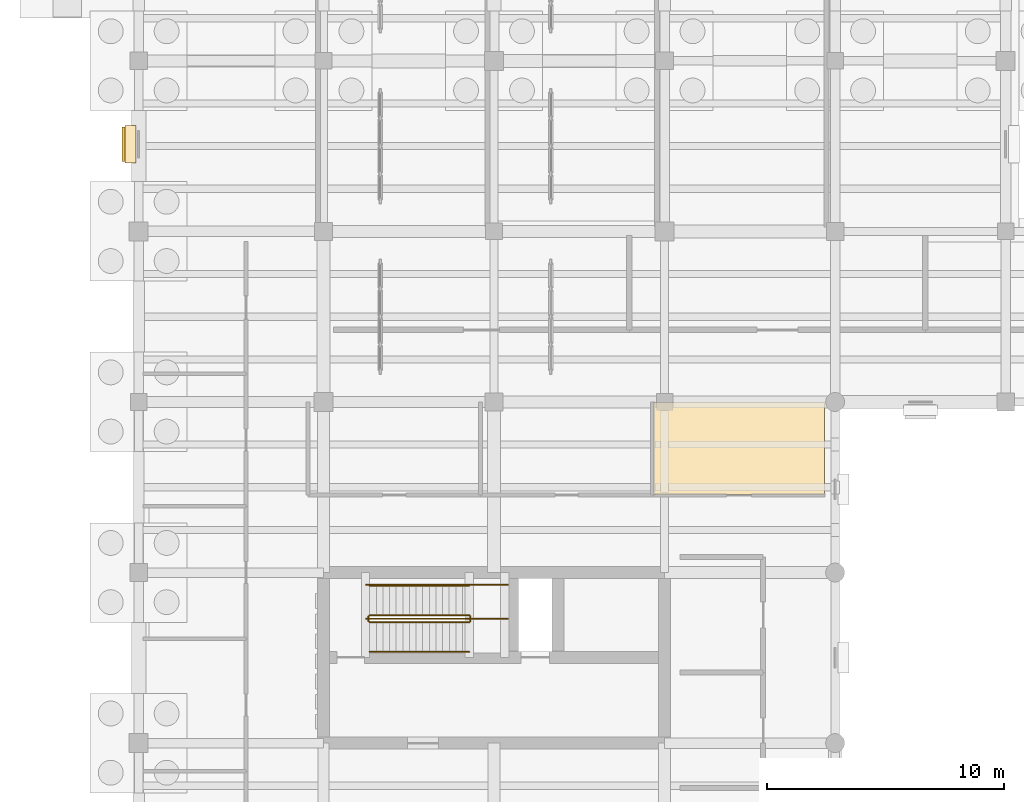
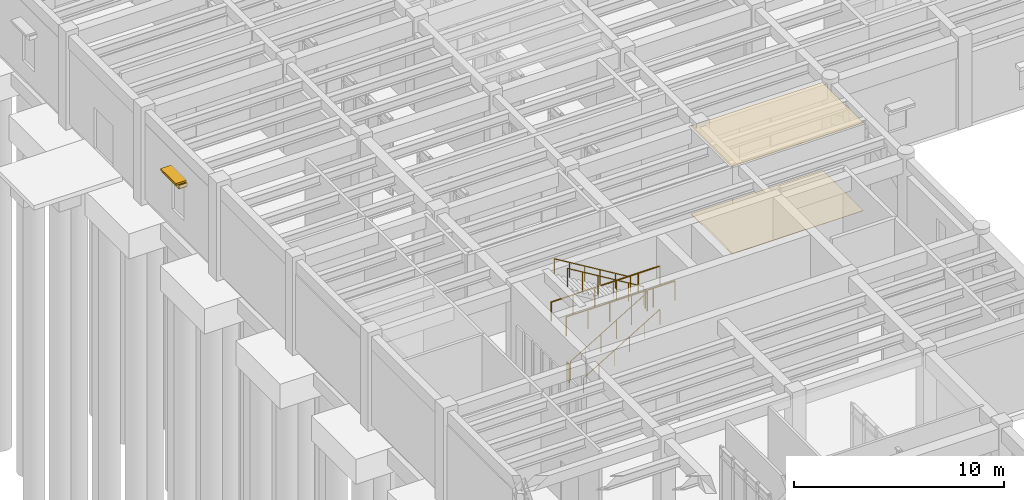
# One storey, part 93 of 100: 8 railings, 3 coverings, 1 shading device.
"""IFC4 building model written with IfcOpenShell, lengths in metres."""

import ifcopenshell
import ifcopenshell.guid

model = None  # the IFC model being written
_history = None  # IfcOwnerHistory: only IFC2X3 demands one
_inside = {}  # id of a spatial element -> (the spatial element, [elements in it])
_under = {}  # id of a project, library or spatial element -> (it, [spatial elements below it])
_declared = {}  # id of a project -> (the project, [libraries it declares])
_typed = {}  # id of a type object -> (the type object, [elements of that type])
_made_of = {}  # id of a material, layer set ... -> (it, [elements and type objects made of it])


def new_model(schema):
    """Start an empty IFC model of exactly this schema.

    Asked for "IFC4X3", IfcOpenShell would pick the latest addendum, in which some entities
    have other attributes; the version numbers below select the first issue.
    IFC2X3 requires an IfcOwnerHistory on every rooted entity: one is made here for all.
    """
    global model, _history
    if schema == "IFC4X3":
        model = ifcopenshell.file(schema_version=(4, 3, 0, 0))
    else:
        model = ifcopenshell.file(schema=schema)
    _inside.clear()
    _under.clear()
    _declared.clear()
    _typed.clear()
    _made_of.clear()
    _history = None
    if model.schema == "IFC2X3":
        org = make("IfcOrganization", Name="unknown")
        user = make(
            "IfcPersonAndOrganization",
            ThePerson=make("IfcPerson", FamilyName="unknown"),
            TheOrganization=org,
        )
        app = make(
            "IfcApplication",
            ApplicationDeveloper=org,
            Version="unknown",
            ApplicationFullName="unknown",
            ApplicationIdentifier="unknown",
        )
        _history = make(
            "IfcOwnerHistory",
            OwningUser=user,
            OwningApplication=app,
            ChangeAction="ADDED",
            CreationDate=0,
        )
    return model


def make(cls, **values):
    """One entity of the class cls with the attributes given. An attribute that is None is left unset."""
    return model.create_entity(
        cls, **{name: value for name, value in values.items() if value is not None}
    )


def rooted(cls, **values):
    """An entity with a GlobalId (a new one), such as an element, a storey or a relation."""
    return make(cls, GlobalId=ifcopenshell.guid.new(), OwnerHistory=_history, **values)


def si_unit(unit_type, name, prefix=None):
    """IfcSIUnit, for example si_unit("LENGTHUNIT", "METRE", prefix="MILLI")."""
    return make("IfcSIUnit", UnitType=unit_type, Prefix=prefix, Name=name)


def assignment(units):
    """IfcUnitAssignment: the units of a project."""
    return None if units is None else make("IfcUnitAssignment", Units=units)


def point(xyz):
    """IfcCartesianPoint."""
    return None if xyz is None else make("IfcCartesianPoint", Coordinates=xyz)


def direction(xyz):
    """IfcDirection."""
    return None if xyz is None else make("IfcDirection", DirectionRatios=xyz)


def frame(location, z_axis=None, x_axis=None):
    """IfcAxis2Placement3D, a coordinate frame: its origin and axes. An axis left out is left unset."""
    return make(
        "IfcAxis2Placement3D",
        Location=point(location),
        Axis=direction(z_axis),
        RefDirection=direction(x_axis),
    )


def frame_2d(location, x_axis=None):
    """IfcAxis2Placement2D, a coordinate frame in the plane: its origin and x axis."""
    return make(
        "IfcAxis2Placement2D", Location=point(location), RefDirection=direction(x_axis)
    )


def origin():
    """The frame at (0, 0, 0) with its axes left unset."""
    return frame((0.0, 0.0, 0.0))


def origin_2d():
    """The frame at (0, 0) in the plane with its x axis left unset."""
    return frame_2d((0.0, 0.0))


def place(relative_to, where):
    """IfcLocalPlacement: puts the frame where relative to a parent placement (None: the world)."""
    return make(
        "IfcLocalPlacement", PlacementRelTo=relative_to, RelativePlacement=where
    )


def context(
    kind, dimensions, precision=None, world=None, true_north=None, identifier=None
):
    """IfcGeometricRepresentationContext, for example the 3D "Model" context."""
    return make(
        "IfcGeometricRepresentationContext",
        ContextIdentifier=identifier,
        ContextType=kind,
        CoordinateSpaceDimension=dimensions,
        Precision=precision,
        WorldCoordinateSystem=world,
        TrueNorth=true_north,
    )


def subcontext(parent, identifier, kind, view, scale=None):
    """IfcGeometricRepresentationSubContext, for example "Body" below "Model"."""
    return make(
        "IfcGeometricRepresentationSubContext",
        ContextIdentifier=identifier,
        ContextType=kind,
        ParentContext=parent,
        TargetScale=scale,
        TargetView=view,
    )


def project(units=None, contexts=None):
    """IfcProject with its units and contexts."""
    return rooted(
        "IfcProject",
        Name="project",
        RepresentationContexts=contexts,
        UnitsInContext=assignment(units),
    )


def spatial(cls, under=None, at=None, **own):
    """A site, building, storey or space (cls), placed at a placement, below another one or the project."""
    s = rooted(cls, ObjectPlacement=at, **own)
    if under is not None:
        _under.setdefault(under.id(), (under, []))[1].append(s)
    return s


def polyline(points):
    """IfcPolyline through the points."""
    return make("IfcPolyline", Points=[point(p) for p in points])


def profile(cls, at=None, kind="AREA", **sizes):
    """A parametric profile (cls). Its sizes go by their IFC names, for example OverallWidth=200.0."""
    return make(cls, ProfileType=kind, Position=at, **sizes)


def rectangle(**sizes):
    """IfcRectangleProfileDef."""
    return profile("IfcRectangleProfileDef", **sizes)


def circle(**sizes):
    """IfcCircleProfileDef."""
    return profile("IfcCircleProfileDef", **sizes)


def outline(outer, holes=None, kind="AREA"):
    """IfcArbitraryClosedProfileDef: a profile drawn as a closed curve; with holes, ...WithVoids."""
    if holes is None:
        return make("IfcArbitraryClosedProfileDef", ProfileType=kind, OuterCurve=outer)
    return make(
        "IfcArbitraryProfileDefWithVoids",
        ProfileType=kind,
        OuterCurve=outer,
        InnerCurves=holes,
    )


def extrude(swept, where, along, depth):
    """IfcExtrudedAreaSolid: the profile swept, set in the frame where, extruded along a direction by depth."""
    return make(
        "IfcExtrudedAreaSolid",
        SweptArea=swept,
        Position=where,
        ExtrudedDirection=direction(along),
        Depth=depth,
    )


def shape(context_of_items, identifier, shape_type, items):
    """IfcShapeRepresentation: the items that make up one representation, for example the "Body"."""
    return make(
        "IfcShapeRepresentation",
        ContextOfItems=context_of_items,
        RepresentationIdentifier=identifier,
        RepresentationType=shape_type,
        Items=items,
    )


def material(Name=None, Category=None):
    """IfcMaterial."""
    return make("IfcMaterial", Name=Name, Category=Category)


def layer(
    of_material, thickness, ventilated=None, Name=None, Category=None, Priority=None
):
    """IfcMaterialLayer: one layer of a wall or slab, of a material (None: an air gap)."""
    return make(
        "IfcMaterialLayer",
        Material=of_material,
        LayerThickness=thickness,
        IsVentilated=ventilated,
        Name=Name,
        Category=Category,
        Priority=Priority,
    )


def layer_set(layers, Name=None):
    """IfcMaterialLayerSet."""
    return make("IfcMaterialLayerSet", MaterialLayers=layers, LayerSetName=Name)


def made_of(thing, what):
    """Note that an element or type object is made of a material, layer set ...; save() writes the relation."""
    if what is not None:
        _made_of.setdefault(what.id(), (what, []))[1].append(thing)
    return thing


def type_object(cls, material=None, **own):
    """A type object (cls), such as IfcWallType, which elements share."""
    return made_of(rooted(cls, **own), material)


def element(
    cls,
    number,
    at=None,
    inside=None,
    cuts=None,
    type_object=None,
    material=None,
    context=None,
    identifier="Body",
    shape_type=None,
    held_by="IfcProductDefinitionShape",
    body=None,
    shapes=None,
    **own,
):
    """One element of the class cls, such as IfcWall. Its Tag is "e" and its number.

    at: its placement. inside: the storey or other place that contains it. cuts: it is an
    opening in that element (IfcRelVoidsElement). A single representation is given by context,
    identifier, shape_type and body (its items); several are given by shapes. held_by: the class
    of the entity that holds the representations. save() writes the other relations.
    """
    e = rooted(cls, Tag="e%d" % number, ObjectPlacement=at, **own)
    if body is not None:
        shapes = [shape(context, identifier, shape_type, body)]
    if shapes is not None:
        e.Representation = make(held_by, Representations=shapes)
    if inside is not None:
        _inside.setdefault(inside.id(), (inside, []))[1].append(e)
    if cuts is not None:
        rooted(
            "IfcRelVoidsElement", RelatingBuildingElement=cuts, RelatedOpeningElement=e
        )
    if type_object is not None:
        _typed.setdefault(type_object.id(), (type_object, []))[1].append(e)
    return made_of(e, material)


def aggregate(whole, parts):
    """IfcRelAggregates: a whole, such as a stair, and the parts it consists of."""
    return rooted("IfcRelAggregates", RelatingObject=whole, RelatedObjects=parts)


def save(model, path):
    """Write the relations noted so far, then the file.

    IfcRelAggregates (storeys below a building ...), IfcRelContainedInSpatialStructure (elements
    in a storey), IfcRelDefinesByType, IfcRelAssociatesMaterial and IfcRelDeclares: one each for
    every whole, place, type object, material and project.
    """
    for whole, parts in _under.values():
        aggregate(whole, parts)
    for where, things in _inside.values():
        rooted(
            "IfcRelContainedInSpatialStructure",
            RelatedElements=things,
            RelatingStructure=where,
        )
    for kind, things in _typed.values():
        rooted("IfcRelDefinesByType", RelatedObjects=things, RelatingType=kind)
    for what, things in _made_of.values():
        rooted("IfcRelAssociatesMaterial", RelatedObjects=things, RelatingMaterial=what)
    for by, libraries in _declared.values():
        rooted("IfcRelDeclares", RelatingContext=by, RelatedDefinitions=libraries)
    model.write(path)


model = new_model("IFC4")

# Units and contexts
model_context = context("Model", 3, precision=1e-05, world=origin(), true_north=direction((0.0, 1.0)))
body_context = subcontext(model_context, "Body", "Model", "MODEL_VIEW")
ifc_project = project(units=[si_unit("LENGTHUNIT", "METRE"), si_unit("AREAUNIT", "SQUARE_METRE"), si_unit("VOLUMEUNIT", "CUBIC_METRE"), si_unit("PLANEANGLEUNIT", "RADIAN"), si_unit("MASSUNIT", "GRAM", prefix="KILO")], contexts=[model_context])

# Site, building, storey
site_placement = place(None, origin())
site = spatial("IfcSite", under=ifc_project, at=site_placement, CompositionType="ELEMENT")
building_placement = place(site_placement, origin())
building = spatial("IfcBuilding", under=site, at=building_placement, Name="Mithqara Police Headquarters", CompositionType="ELEMENT")
storey_placement = place(building_placement, origin())
storey = spatial("IfcBuildingStorey", under=building, at=storey_placement, Name="L00", CompositionType="ELEMENT", Elevation=0.0)

# Covering
ifc_material_1 = material(Name="Acoustic mineral-fibre ceiling tile", Category="gypsum")
ifc_layer_1 = layer(ifc_material_1, 0.02490234375, Name="Acoustic mineral-fibre ceiling tile")
ifc_layer_set_1 = layer_set([ifc_layer_1], Name="Acoustic mineral-fibre ceiling tile")
covering_type_1 = type_object("IfcCoveringType", Name="ACOUSTIC CEILING TILE", PredefinedType="CEILING", material=ifc_layer_set_1)
covering_1_placement = place(storey_placement, frame((0.0, 0.0, 5.094970703125)))
element("IfcCovering", 1, at=covering_1_placement, inside=storey, type_object=covering_type_1, Name="Report Writing Room Acoustic Ceiling", PredefinedType="CEILING", context=body_context, shape_type="SweptSolid", body=[
    extrude(outline(polyline([(21.722900390625, 74.68994140625), (28.9599609375, 74.68994140625), (28.9599609375, 78.580078125), (21.722900390625, 78.580078125), (21.722900390625, 74.68994140625)])), origin(), (0.0, 0.0, 1.0), 0.025146484375),
])

# Railings
ifc_material_2 = material(Name="Steel S355JR", Category="steel")
railing_type_1 = type_object("IfcRailingType", Name="HANDRAIL 920", PredefinedType="HANDRAIL", material=ifc_material_2)
railing_1_placement = place(storey_placement, frame((9.75, 68.050048828125, 0.168701171875)))
element("IfcRailing", 2, at=railing_1_placement, inside=storey, type_object=railing_type_1, Name="L00 ST-03 stair handrail 1", PredefinedType="HANDRAIL", context=body_context, shape_type="SweptSolid", body=[
    extrude(circle(Radius=0.02392578125, at=origin_2d()), frame((0.0, 0.0, 0.8759765625), z_axis=(0.856476492594, 0.0, 0.516186030065), x_axis=(0.0, 1.0, 0.0)), (0.0, 0.0, 1.0), 4.90380859375),
    extrude(circle(Radius=0.02099609375, at=origin_2d()), origin(), (0.0, 0.0, 1.0), 0.851806640625),
    extrude(circle(Radius=0.02099609375, at=origin_2d()), frame((0.840087890625, 0.0, 0.50634765625)), (0.0, 0.0, 1.0), 0.851806640625),
    extrude(circle(Radius=0.02099609375, at=origin_2d()), frame((1.679931640625, 0.0, 1.012451171875)), (0.0, 0.0, 1.0), 0.851806640625),
    extrude(circle(Radius=0.02099609375, at=origin_2d()), frame((2.52001953125, 0.0, 1.518798828125)), (0.0, 0.0, 1.0), 0.851806640625),
    extrude(circle(Radius=0.02099609375, at=origin_2d()), frame((3.35986328125, 0.0, 2.02490234375)), (0.0, 0.0, 1.0), 0.851806640625),
    extrude(circle(Radius=0.02099609375, at=origin_2d()), frame((4.199951171875, 0.0, 2.53125)), (0.0, 0.0, 1.0), 0.851806640625),
])
railing_2_placement = place(storey_placement, frame((13.949951171875, 70.85009765625, 2.86865234375)))
element("IfcRailing", 3, at=railing_2_placement, inside=storey, type_object=railing_type_1, Name="L00 ST-03 stair handrail 2", PredefinedType="HANDRAIL", context=body_context, shape_type="SweptSolid", body=[
    extrude(circle(Radius=0.02392578125, at=origin_2d()), frame((0.0, 0.0, 0.8759765625), z_axis=(-0.856476492594, 0.0, 0.516186030065), x_axis=(0.0, -1.0, 0.0)), (0.0, 0.0, 1.0), 4.90380859375),
    extrude(circle(Radius=0.02099609375, at=origin_2d()), origin(), (0.0, 0.0, 1.0), 0.851806640625),
    extrude(circle(Radius=0.02099609375, at=origin_2d()), frame((-0.840087890625, 0.0, 0.50634765625)), (0.0, 0.0, 1.0), 0.851806640625),
    extrude(circle(Radius=0.02099609375, at=origin_2d()), frame((-1.679931640625, 0.0, 1.012451171875)), (0.0, 0.0, 1.0), 0.851806640625),
    extrude(circle(Radius=0.02099609375, at=origin_2d()), frame((-2.52001953125, 0.0, 1.518798828125)), (0.0, 0.0, 1.0), 0.851806640625),
    extrude(circle(Radius=0.02099609375, at=origin_2d()), frame((-3.35986328125, 0.0, 2.02490234375)), (0.0, 0.0, 1.0), 0.851806640625),
    extrude(circle(Radius=0.02099609375, at=origin_2d()), frame((-4.199951171875, 0.0, 2.53125)), (0.0, 0.0, 1.0), 0.851806640625),
])

# Shading device
ifc_material_3 = material(Name="Bronze anodised aluminium 6063-T6", Category="aluminium")
shading_device_type = type_object("IfcShadingDeviceType", Name="SOLAR LOUVRE BRONZE", PredefinedType="JALOUSIE", material=ifc_material_3)
shading_device_placement = place(storey_placement, frame((-0.409912109375, 89.47998046875, 3.33984375), z_axis=(0.0, 0.0, 1.0), x_axis=(0.0, 1.0, 0.0)))
element("IfcShadingDevice", 4, at=shading_device_placement, inside=storey, type_object=shading_device_type, Name="L00 Window Solar Louvre Hood 14.1", PredefinedType="JALOUSIE", context=body_context, shape_type="SweptSolid", body=[
    extrude(rectangle(XDim=1.449951171875, YDim=0.60009765625, at=origin_2d()), origin(), (0.0, 0.0, 1.0), 0.10009765625),
])

# Railings
railing_type_2 = type_object("IfcRailingType", Name="STAIR GUARD 1120", PredefinedType="GUARDRAIL", material=ifc_material_2)
railing_3_placement = place(storey_placement, frame((9.75, 69.300048828125, 0.168701171875)))
element("IfcRailing", 5, at=railing_3_placement, inside=storey, type_object=railing_type_2, Name="L00 ST-03 stair guard 1", PredefinedType="GUARDRAIL", context=body_context, shape_type="SweptSolid", body=[
    extrude(circle(Radius=0.02392578125, at=origin_2d()), frame((0.0, 0.0, 1.076171875), z_axis=(0.856476492594, 0.0, 0.516186030065), x_axis=(0.0, 1.0, 0.0)), (0.0, 0.0, 1.0), 4.90380859375),
    extrude(circle(Radius=0.02099609375, at=origin_2d()), origin(), (0.0, 0.0, 1.0), 1.052001953125),
    extrude(circle(Radius=0.02099609375, at=origin_2d()), frame((0.840087890625, 0.0, 0.50634765625)), (0.0, 0.0, 1.0), 1.052001953125),
    extrude(circle(Radius=0.02099609375, at=origin_2d()), frame((1.679931640625, 0.0, 1.012451171875)), (0.0, 0.0, 1.0), 1.052001953125),
    extrude(circle(Radius=0.02099609375, at=origin_2d()), frame((2.52001953125, 0.0, 1.518798828125)), (0.0, 0.0, 1.0), 1.052001953125),
    extrude(circle(Radius=0.02099609375, at=origin_2d()), frame((3.35986328125, 0.0, 2.02490234375)), (0.0, 0.0, 1.0), 1.052001953125),
    extrude(circle(Radius=0.02099609375, at=origin_2d()), frame((4.199951171875, 0.0, 2.53125)), (0.0, 0.0, 1.0), 1.052001953125),
])
railing_4_placement = place(storey_placement, frame((14.0, 69.35009765625, 2.699951171875)))
element("IfcRailing", 6, at=railing_4_placement, inside=storey, type_object=railing_type_2, Name="L00 ST-03 stair guard 2", PredefinedType="GUARDRAIL", context=body_context, shape_type="SweptSolid", body=[
    extrude(circle(Radius=0.02392578125, at=origin_2d()), frame((0.0, 0.0, 1.076171875), z_axis=(0.0, 1.0, 0.0), x_axis=(-1.0, 0.0, 0.0)), (0.0, 0.0, 1.0), 0.199951171875),
    extrude(circle(Radius=0.02099609375, at=origin_2d()), origin(), (0.0, 0.0, 1.0), 1.052001953125),
    extrude(circle(Radius=0.02099609375, at=origin_2d()), frame((0.0, 0.199951171875, 0.0)), (0.0, 0.0, 1.0), 1.052001953125),
])
railing_5_placement = place(storey_placement, frame((13.949951171875, 69.60009765625, 2.86865234375)))
element("IfcRailing", 7, at=railing_5_placement, inside=storey, type_object=railing_type_2, Name="L00 ST-03 stair guard 3", PredefinedType="GUARDRAIL", context=body_context, shape_type="SweptSolid", body=[
    extrude(circle(Radius=0.02392578125, at=origin_2d()), frame((0.0, 0.0, 1.076171875), z_axis=(-0.856476492594, 0.0, 0.516186030065), x_axis=(0.0, -1.0, 0.0)), (0.0, 0.0, 1.0), 4.90380859375),
    extrude(circle(Radius=0.02099609375, at=origin_2d()), origin(), (0.0, 0.0, 1.0), 1.052001953125),
    extrude(circle(Radius=0.02099609375, at=origin_2d()), frame((-0.840087890625, 0.0, 0.50634765625)), (0.0, 0.0, 1.0), 1.052001953125),
    extrude(circle(Radius=0.02099609375, at=origin_2d()), frame((-1.679931640625, 0.0, 1.012451171875)), (0.0, 0.0, 1.0), 1.052001953125),
    extrude(circle(Radius=0.02099609375, at=origin_2d()), frame((-2.52001953125, 0.0, 1.518798828125)), (0.0, 0.0, 1.0), 1.052001953125),
    extrude(circle(Radius=0.02099609375, at=origin_2d()), frame((-3.35986328125, 0.0, 2.02490234375)), (0.0, 0.0, 1.0), 1.052001953125),
    extrude(circle(Radius=0.02099609375, at=origin_2d()), frame((-4.199951171875, 0.0, 2.53125)), (0.0, 0.0, 1.0), 1.052001953125),
])
railing_6_placement = place(storey_placement, frame((9.699951171875, 69.35009765625, 0.0)))
element("IfcRailing", 8, at=railing_6_placement, inside=storey, type_object=railing_type_2, Name="L00 ST-03 stair guard 4", PredefinedType="GUARDRAIL", context=body_context, shape_type="SweptSolid", body=[
    extrude(circle(Radius=0.02392578125, at=origin_2d()), frame((0.0, 0.0, 1.076171875), z_axis=(0.0, 1.0, 0.0), x_axis=(-1.0, 0.0, 0.0)), (0.0, 0.0, 1.0), 0.199951171875),
    extrude(circle(Radius=0.02099609375, at=origin_2d()), origin(), (0.0, 0.0, 1.0), 1.052001953125),
    extrude(circle(Radius=0.02099609375, at=origin_2d()), frame((0.0, 0.199951171875, 0.0)), (0.0, 0.0, 1.0), 1.052001953125),
])
for number, where, name in (
    (9, (9.60009765625, 69.449951171875, 2.699951171875), "L00 ST-03 Half-Landing Guard IN"),
    (10, (9.60009765625, 70.8798828125, 2.699951171875), "L00 ST-03 Half-Landing Guard OUT"),
):
    element("IfcRailing", number, at=place(storey_placement, frame(where)), inside=storey, type_object=railing_type_2, Name=name, PredefinedType="GUARDRAIL", context=body_context, shape_type="SweptSolid", body=[
        extrude(circle(Radius=0.02392578125, at=origin_2d()), frame((0.0, 0.0, 1.09619140625), z_axis=(1.0, 0.0, 0.0), x_axis=(0.0, 1.0, 0.0)), (0.0, 0.0, 1.0), 5.97998046875),
        extrude(circle(Radius=0.02099609375, at=origin_2d()), origin(), (0.0, 0.0, 1.0), 1.072021484375),
        extrude(circle(Radius=0.02099609375, at=origin_2d()), frame((1.196044921875, 0.0, 0.0)), (0.0, 0.0, 1.0), 1.072021484375),
        extrude(circle(Radius=0.02099609375, at=origin_2d()), frame((2.39208984375, 0.0, 0.0)), (0.0, 0.0, 1.0), 1.072021484375),
        extrude(circle(Radius=0.02099609375, at=origin_2d()), frame((3.587890625, 0.0, 0.0)), (0.0, 0.0, 1.0), 1.072021484375),
        extrude(circle(Radius=0.02099609375, at=origin_2d()), frame((4.783935546875, 0.0, 0.0)), (0.0, 0.0, 1.0), 1.072021484375),
        extrude(circle(Radius=0.02099609375, at=origin_2d()), frame((5.97998046875, 0.0, 0.0)), (0.0, 0.0, 1.0), 1.072021484375),
    ])

# Coverings
ifc_material_4 = material(Name="Polished limestone terrazzo flooring", Category="masonry")
ifc_layer_2 = layer(ifc_material_4, 0.02001953125, Name="Polished limestone terrazzo flooring")
ifc_layer_set_2 = layer_set([ifc_layer_2], Name="Polished limestone terrazzo flooring")
covering_type_2 = type_object("IfcCoveringType", Name="TERRAZZO FLOOR FINISH", PredefinedType="FLOORING", material=ifc_layer_set_2)
covering_2_placement = place(storey_placement, origin())
element("IfcCovering", 11, at=covering_2_placement, inside=storey, type_object=covering_type_2, Name="Report Writing Room Terrazzo Floor Finish", PredefinedType="FLOORING", context=body_context, shape_type="SweptSolid", body=[
    extrude(outline(polyline([(21.722900390625, 74.68994140625), (28.9599609375, 74.68994140625), (28.9599609375, 78.580078125), (21.722900390625, 78.580078125), (21.722900390625, 74.68994140625)])), origin(), (0.0, 0.0, 1.0), 0.02001953125),
])
ifc_material_5 = material(Name="Limestone ashlar masonry, 45 MPa", Category="masonry")
ifc_layer_3 = layer(ifc_material_5, 0.239990234375, Name="Limestone ashlar masonry, 45 MPa")
ifc_layer_set_3 = layer_set([ifc_layer_3], Name="Limestone ashlar masonry, 45 MPa")
covering_type_3 = type_object("IfcCoveringType", Name="WINDOW HOOD LIMESTONE", PredefinedType="CLADDING", material=ifc_layer_set_3)
covering_3_placement = place(storey_placement, frame((-0.35009765625, 89.47998046875, 3.1201171875), z_axis=(0.0, 0.0, 1.0), x_axis=(0.0, 1.0, 0.0)))
element("IfcCovering", 12, at=covering_3_placement, inside=storey, type_object=covering_type_3, Name="L00 Limestone Window Architrave Hood 14.1", PredefinedType="CLADDING", context=body_context, shape_type="SweptSolid", body=[
    extrude(rectangle(XDim=1.590087890625, YDim=0.4599609375, at=origin_2d()), origin(), (0.0, 0.0, 1.0), 0.219970703125),
])

save(model, "model.ifc")
